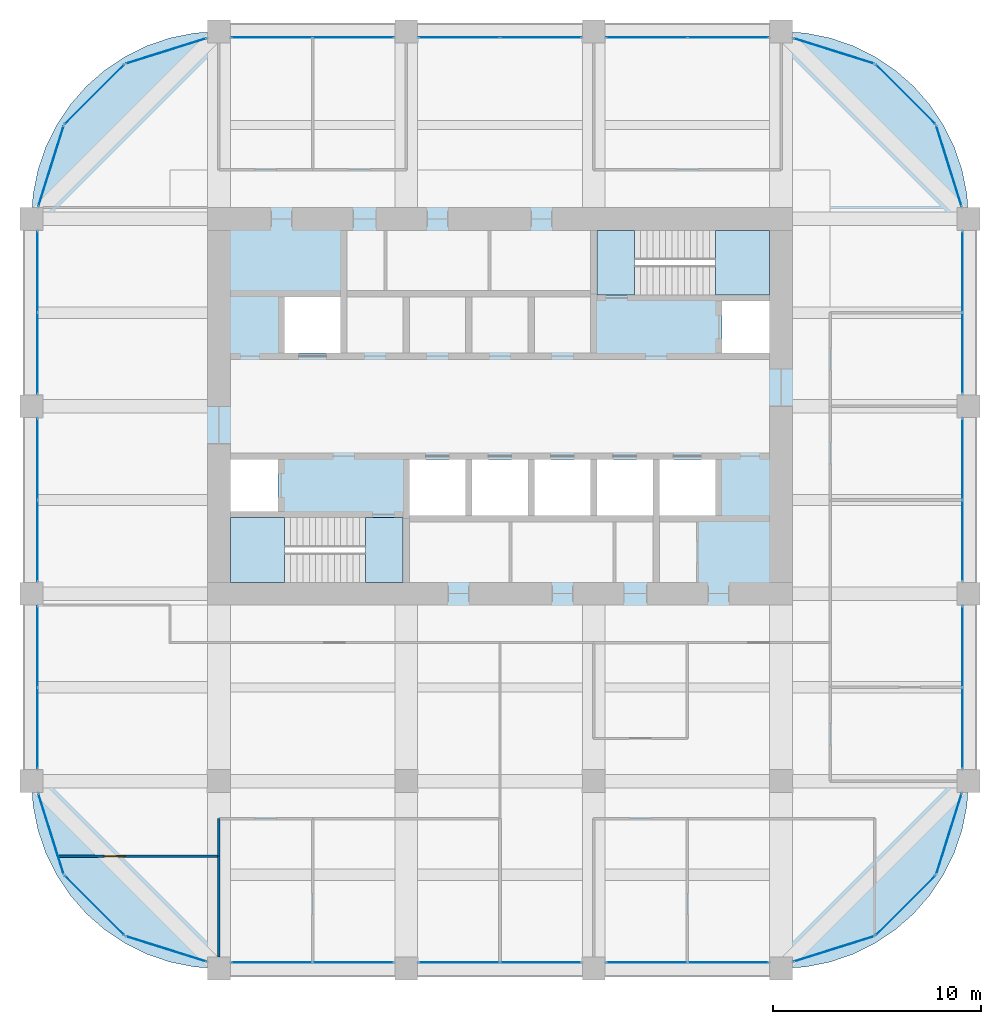
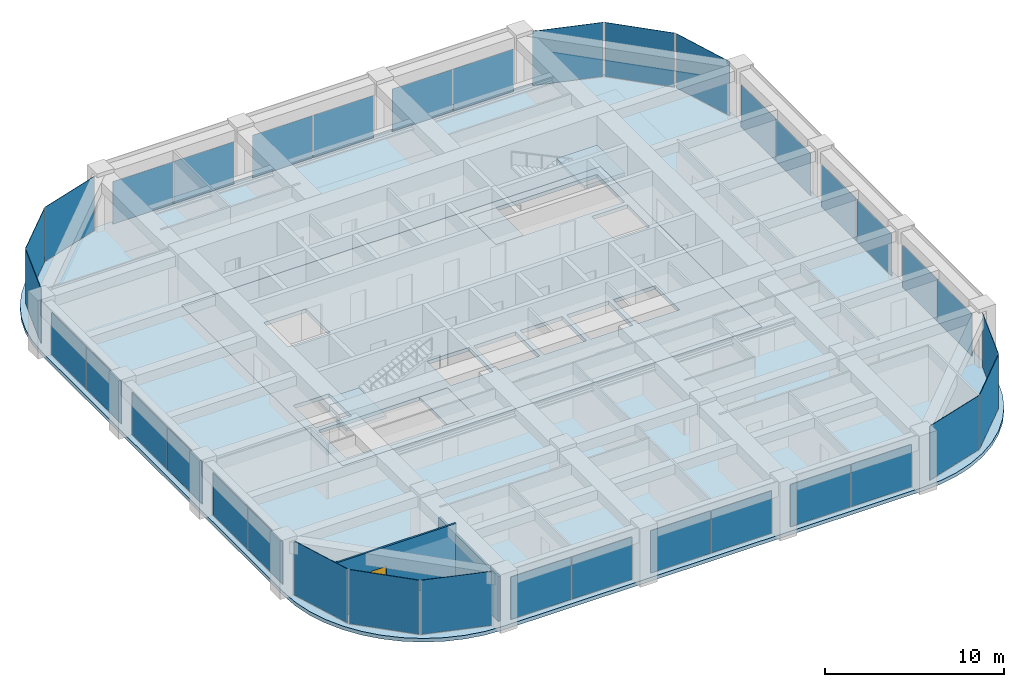
# One storey, part 40 of 44: 36 plates, 6 slabs, 3 walls, 1 door, 1 opening, 26 elements without a shape of their own.
"""IFC4 building model written with IfcOpenShell, lengths in metres."""

from ifc_helpers import new_model, si_unit, direction, frame, frame_2d, origin, origin_2d, place, context, subcontext, project, spatial, polyline, rectangle, outline, extrude, material, layer, layer_set, type_object, element, fill, aggregate, save


model = new_model("IFC4")

# Units and contexts
model_context = context("Model", 3, precision=1e-05, world=origin(), true_north=direction((0.0, 1.0)))
body_context = subcontext(model_context, "Body", "Model", "MODEL_VIEW")
ifc_project = project(units=[si_unit("LENGTHUNIT", "METRE"), si_unit("AREAUNIT", "SQUARE_METRE"), si_unit("VOLUMEUNIT", "CUBIC_METRE"), si_unit("PLANEANGLEUNIT", "RADIAN"), si_unit("MASSUNIT", "GRAM", prefix="KILO")], contexts=[model_context])

# Site, building, storey
site_placement = place(None, origin())
site = spatial("IfcSite", under=ifc_project, at=site_placement, CompositionType="ELEMENT")
building_placement = place(site_placement, origin())
building = spatial("IfcBuilding", under=site, at=building_placement, Name="Zorevar Civic Tower", CompositionType="ELEMENT")
storey_placement = place(building_placement, frame((0.0, 0.0, 299.39990234375)))
storey = spatial("IfcBuildingStorey", under=building, at=storey_placement, Name="L73", CompositionType="ELEMENT", Elevation=299.39990234375)

# Curtain wall, plates
ifc_material_1 = material(Name="Dark grey solar-control glass in black aluminium frame", Category="aluminium")
curtain_wall_type = type_object("IfcCurtainWallType", Name="Curtain wall CW5 top zone", PredefinedType="NOTDEFINED", material=ifc_material_1)
curtain_wall_1_placement = place(storey_placement, origin())
curtain_wall_1 = element("IfcCurtainWall", 1, at=curtain_wall_1_placement, inside=storey, type_object=curtain_wall_type, Name="CW5 L73", PredefinedType="NOTDEFINED")
ifc_material_2 = material(Name="Dark grey solar-control glass", Category="glass")
ifc_layer_1 = layer(ifc_material_2, 0.028076171875)
ifc_layer_set_1 = layer_set([ifc_layer_1], Name="CW5 panel 28")
plate_type = type_object("IfcPlateType", Name="CW5 panel 28", PredefinedType="CURTAIN_PANEL", material=ifc_layer_set_1)
plate_1_placement = place(storey_placement, frame((20.5400390625, 0.300048828125, 0.06005859375), z_axis=(0.0, 0.0, 1.0), x_axis=(1.0, 0.0, 0.0)))
plate_1 = element("IfcPlate", 2, at=plate_1_placement, type_object=plate_type, Name="CW5 panel 1.1", PredefinedType="CURTAIN_PANEL", context=body_context, shape_type="SweptSolid", body=[
    extrude(rectangle(XDim=3.860107421875, YDim=0.028076171875, at=origin_2d()), origin(), (0.0, 0.0, 1.0), 2.889892578125),
])
plate_2_placement = place(storey_placement, frame((24.4599609375, 0.300048828125, 0.06005859375), z_axis=(0.0, 0.0, 1.0), x_axis=(1.0, 0.0, 0.0)))
plate_2 = element("IfcPlate", 3, at=plate_2_placement, type_object=plate_type, Name="CW5 panel 2.1", PredefinedType="CURTAIN_PANEL", context=body_context, shape_type="SweptSolid", body=[
    extrude(rectangle(XDim=3.860107421875, YDim=0.028076171875, at=origin_2d()), origin(), (0.0, 0.0, 1.0), 2.889892578125),
])
aggregate(curtain_wall_1, [plate_1, plate_2])

curtain_wall_2_placement = place(storey_placement, origin())
curtain_wall_2 = element("IfcCurtainWall", 4, at=curtain_wall_2_placement, inside=storey, type_object=curtain_wall_type, Name="CW5 L73", PredefinedType="NOTDEFINED")
plate_3_placement = place(storey_placement, frame((20.5400390625, 44.699951171875, 0.06005859375), z_axis=(0.0, 0.0, 1.0), x_axis=(1.0, 0.0, 0.0)))
plate_3 = element("IfcPlate", 5, at=plate_3_placement, type_object=plate_type, Name="CW5 panel 1.1", PredefinedType="CURTAIN_PANEL", context=body_context, shape_type="SweptSolid", body=[
    extrude(rectangle(XDim=3.860107421875, YDim=0.028076171875, at=origin_2d()), origin(), (0.0, 0.0, 1.0), 2.889892578125),
])
plate_4_placement = place(storey_placement, frame((24.4599609375, 44.699951171875, 0.06005859375), z_axis=(0.0, 0.0, 1.0), x_axis=(1.0, 0.0, 0.0)))
plate_4 = element("IfcPlate", 6, at=plate_4_placement, type_object=plate_type, Name="CW5 panel 2.1", PredefinedType="CURTAIN_PANEL", context=body_context, shape_type="SweptSolid", body=[
    extrude(rectangle(XDim=3.860107421875, YDim=0.028076171875, at=origin_2d()), origin(), (0.0, 0.0, 1.0), 2.889892578125),
])
aggregate(curtain_wall_2, [plate_3, plate_4])

curtain_wall_3_placement = place(storey_placement, origin())
curtain_wall_3 = element("IfcCurtainWall", 7, at=curtain_wall_3_placement, inside=storey, type_object=curtain_wall_type, Name="CW5 L73", PredefinedType="NOTDEFINED")
plate_5_placement = place(storey_placement, frame((29.5400390625, 0.300048828125, 0.06005859375), z_axis=(0.0, 0.0, 1.0), x_axis=(1.0, 0.0, 0.0)))
plate_5 = element("IfcPlate", 8, at=plate_5_placement, type_object=plate_type, Name="CW5 panel 1.1", PredefinedType="CURTAIN_PANEL", context=body_context, shape_type="SweptSolid", body=[
    extrude(rectangle(XDim=3.860107421875, YDim=0.028076171875, at=origin_2d()), origin(), (0.0, 0.0, 1.0), 2.889892578125),
])
plate_6_placement = place(storey_placement, frame((33.4599609375, 0.300048828125, 0.06005859375), z_axis=(0.0, 0.0, 1.0), x_axis=(1.0, 0.0, 0.0)))
plate_6 = element("IfcPlate", 9, at=plate_6_placement, type_object=plate_type, Name="CW5 panel 2.1", PredefinedType="CURTAIN_PANEL", context=body_context, shape_type="SweptSolid", body=[
    extrude(rectangle(XDim=3.860107421875, YDim=0.028076171875, at=origin_2d()), origin(), (0.0, 0.0, 1.0), 2.889892578125),
])
aggregate(curtain_wall_3, [plate_5, plate_6])

curtain_wall_4_placement = place(storey_placement, origin())
curtain_wall_4 = element("IfcCurtainWall", 10, at=curtain_wall_4_placement, inside=storey, type_object=curtain_wall_type, Name="CW5 L73", PredefinedType="NOTDEFINED")
plate_7_placement = place(storey_placement, frame((29.5400390625, 44.699951171875, 0.06005859375), z_axis=(0.0, 0.0, 1.0), x_axis=(1.0, 0.0, 0.0)))
plate_7 = element("IfcPlate", 11, at=plate_7_placement, type_object=plate_type, Name="CW5 panel 1.1", PredefinedType="CURTAIN_PANEL", context=body_context, shape_type="SweptSolid", body=[
    extrude(rectangle(XDim=3.860107421875, YDim=0.028076171875, at=origin_2d()), origin(), (0.0, 0.0, 1.0), 2.889892578125),
])
plate_8_placement = place(storey_placement, frame((33.4599609375, 44.699951171875, 0.06005859375), z_axis=(0.0, 0.0, 1.0), x_axis=(1.0, 0.0, 0.0)))
plate_8 = element("IfcPlate", 12, at=plate_8_placement, type_object=plate_type, Name="CW5 panel 2.1", PredefinedType="CURTAIN_PANEL", context=body_context, shape_type="SweptSolid", body=[
    extrude(rectangle(XDim=3.860107421875, YDim=0.028076171875, at=origin_2d()), origin(), (0.0, 0.0, 1.0), 2.889892578125),
])
aggregate(curtain_wall_4, [plate_7, plate_8])

curtain_wall_5_placement = place(storey_placement, origin())
curtain_wall_5 = element("IfcCurtainWall", 13, at=curtain_wall_5_placement, inside=storey, type_object=curtain_wall_type, Name="CW5 L73", PredefinedType="NOTDEFINED")
plate_9_placement = place(storey_placement, frame((38.5400390625, 0.300048828125, 0.06005859375), z_axis=(0.0, 0.0, 1.0), x_axis=(1.0, 0.0, 0.0)))
plate_9 = element("IfcPlate", 14, at=plate_9_placement, type_object=plate_type, Name="CW5 panel 1.1", PredefinedType="CURTAIN_PANEL", context=body_context, shape_type="SweptSolid", body=[
    extrude(rectangle(XDim=3.860107421875, YDim=0.028076171875, at=origin_2d()), origin(), (0.0, 0.0, 1.0), 2.889892578125),
])
plate_10_placement = place(storey_placement, frame((42.4599609375, 0.300048828125, 0.06005859375), z_axis=(0.0, 0.0, 1.0), x_axis=(1.0, 0.0, 0.0)))
plate_10 = element("IfcPlate", 15, at=plate_10_placement, type_object=plate_type, Name="CW5 panel 2.1", PredefinedType="CURTAIN_PANEL", context=body_context, shape_type="SweptSolid", body=[
    extrude(rectangle(XDim=3.860107421875, YDim=0.028076171875, at=origin_2d()), origin(), (0.0, 0.0, 1.0), 2.889892578125),
])
aggregate(curtain_wall_5, [plate_9, plate_10])

curtain_wall_6_placement = place(storey_placement, origin())
curtain_wall_6 = element("IfcCurtainWall", 16, at=curtain_wall_6_placement, inside=storey, type_object=curtain_wall_type, Name="CW5 L73", PredefinedType="NOTDEFINED")
plate_11_placement = place(storey_placement, frame((38.5400390625, 44.699951171875, 0.06005859375), z_axis=(0.0, 0.0, 1.0), x_axis=(1.0, 0.0, 0.0)))
plate_11 = element("IfcPlate", 17, at=plate_11_placement, type_object=plate_type, Name="CW5 panel 1.1", PredefinedType="CURTAIN_PANEL", context=body_context, shape_type="SweptSolid", body=[
    extrude(rectangle(XDim=3.860107421875, YDim=0.028076171875, at=origin_2d()), origin(), (0.0, 0.0, 1.0), 2.889892578125),
])
plate_12_placement = place(storey_placement, frame((42.4599609375, 44.699951171875, 0.06005859375), z_axis=(0.0, 0.0, 1.0), x_axis=(1.0, 0.0, 0.0)))
plate_12 = element("IfcPlate", 18, at=plate_12_placement, type_object=plate_type, Name="CW5 panel 2.1", PredefinedType="CURTAIN_PANEL", context=body_context, shape_type="SweptSolid", body=[
    extrude(rectangle(XDim=3.860107421875, YDim=0.028076171875, at=origin_2d()), origin(), (0.0, 0.0, 1.0), 2.889892578125),
])
aggregate(curtain_wall_6, [plate_11, plate_12])

curtain_wall_7_placement = place(storey_placement, origin())
curtain_wall_7 = element("IfcCurtainWall", 19, at=curtain_wall_7_placement, inside=storey, type_object=curtain_wall_type, Name="CW5 L73", PredefinedType="NOTDEFINED")
plate_13_placement = place(storey_placement, frame((9.300048828125, 11.5400390625, 0.06005859375), z_axis=(0.0, 0.0, 1.0), x_axis=(0.0, 1.0, 0.0)))
plate_13 = element("IfcPlate", 20, at=plate_13_placement, type_object=plate_type, Name="CW5 panel 1.1", PredefinedType="CURTAIN_PANEL", context=body_context, shape_type="SweptSolid", body=[
    extrude(rectangle(XDim=3.860107421875, YDim=0.028076171875, at=origin_2d()), origin(), (0.0, 0.0, 1.0), 2.889892578125),
])
plate_14_placement = place(storey_placement, frame((9.300048828125, 15.4599609375, 0.06005859375), z_axis=(0.0, 0.0, 1.0), x_axis=(0.0, 1.0, 0.0)))
plate_14 = element("IfcPlate", 21, at=plate_14_placement, type_object=plate_type, Name="CW5 panel 2.1", PredefinedType="CURTAIN_PANEL", context=body_context, shape_type="SweptSolid", body=[
    extrude(rectangle(XDim=3.860107421875, YDim=0.028076171875, at=origin_2d()), origin(), (0.0, 0.0, 1.0), 2.889892578125),
])
aggregate(curtain_wall_7, [plate_13, plate_14])

curtain_wall_8_placement = place(storey_placement, origin())
curtain_wall_8 = element("IfcCurtainWall", 22, at=curtain_wall_8_placement, inside=storey, type_object=curtain_wall_type, Name="CW5 L73", PredefinedType="NOTDEFINED")
plate_15_placement = place(storey_placement, frame((53.699951171875, 11.5400390625, 0.06005859375), z_axis=(0.0, 0.0, 1.0), x_axis=(0.0, 1.0, 0.0)))
plate_15 = element("IfcPlate", 23, at=plate_15_placement, type_object=plate_type, Name="CW5 panel 1.1", PredefinedType="CURTAIN_PANEL", context=body_context, shape_type="SweptSolid", body=[
    extrude(rectangle(XDim=3.860107421875, YDim=0.028076171875, at=origin_2d()), origin(), (0.0, 0.0, 1.0), 2.889892578125),
])
plate_16_placement = place(storey_placement, frame((53.699951171875, 15.4599609375, 0.06005859375), z_axis=(0.0, 0.0, 1.0), x_axis=(0.0, 1.0, 0.0)))
plate_16 = element("IfcPlate", 24, at=plate_16_placement, type_object=plate_type, Name="CW5 panel 2.1", PredefinedType="CURTAIN_PANEL", context=body_context, shape_type="SweptSolid", body=[
    extrude(rectangle(XDim=3.860107421875, YDim=0.028076171875, at=origin_2d()), origin(), (0.0, 0.0, 1.0), 2.889892578125),
])
aggregate(curtain_wall_8, [plate_15, plate_16])

curtain_wall_9_placement = place(storey_placement, origin())
curtain_wall_9 = element("IfcCurtainWall", 25, at=curtain_wall_9_placement, inside=storey, type_object=curtain_wall_type, Name="CW5 L73", PredefinedType="NOTDEFINED")
plate_17_placement = place(storey_placement, frame((9.300048828125, 20.5400390625, 0.06005859375), z_axis=(0.0, 0.0, 1.0), x_axis=(0.0, 1.0, 0.0)))
plate_17 = element("IfcPlate", 26, at=plate_17_placement, type_object=plate_type, Name="CW5 panel 1.1", PredefinedType="CURTAIN_PANEL", context=body_context, shape_type="SweptSolid", body=[
    extrude(rectangle(XDim=3.860107421875, YDim=0.028076171875, at=origin_2d()), origin(), (0.0, 0.0, 1.0), 2.889892578125),
])
plate_18_placement = place(storey_placement, frame((9.300048828125, 24.4599609375, 0.06005859375), z_axis=(0.0, 0.0, 1.0), x_axis=(0.0, 1.0, 0.0)))
plate_18 = element("IfcPlate", 27, at=plate_18_placement, type_object=plate_type, Name="CW5 panel 2.1", PredefinedType="CURTAIN_PANEL", context=body_context, shape_type="SweptSolid", body=[
    extrude(rectangle(XDim=3.860107421875, YDim=0.028076171875, at=origin_2d()), origin(), (0.0, 0.0, 1.0), 2.889892578125),
])
aggregate(curtain_wall_9, [plate_17, plate_18])

curtain_wall_10_placement = place(storey_placement, origin())
curtain_wall_10 = element("IfcCurtainWall", 28, at=curtain_wall_10_placement, inside=storey, type_object=curtain_wall_type, Name="CW5 L73", PredefinedType="NOTDEFINED")
plate_19_placement = place(storey_placement, frame((53.699951171875, 20.5400390625, 0.06005859375), z_axis=(0.0, 0.0, 1.0), x_axis=(0.0, 1.0, 0.0)))
plate_19 = element("IfcPlate", 29, at=plate_19_placement, type_object=plate_type, Name="CW5 panel 1.1", PredefinedType="CURTAIN_PANEL", context=body_context, shape_type="SweptSolid", body=[
    extrude(rectangle(XDim=3.860107421875, YDim=0.028076171875, at=origin_2d()), origin(), (0.0, 0.0, 1.0), 2.889892578125),
])
plate_20_placement = place(storey_placement, frame((53.699951171875, 24.4599609375, 0.06005859375), z_axis=(0.0, 0.0, 1.0), x_axis=(0.0, 1.0, 0.0)))
plate_20 = element("IfcPlate", 30, at=plate_20_placement, type_object=plate_type, Name="CW5 panel 2.1", PredefinedType="CURTAIN_PANEL", context=body_context, shape_type="SweptSolid", body=[
    extrude(rectangle(XDim=3.860107421875, YDim=0.028076171875, at=origin_2d()), origin(), (0.0, 0.0, 1.0), 2.889892578125),
])
aggregate(curtain_wall_10, [plate_19, plate_20])

curtain_wall_11_placement = place(storey_placement, origin())
curtain_wall_11 = element("IfcCurtainWall", 31, at=curtain_wall_11_placement, inside=storey, type_object=curtain_wall_type, Name="CW5 L73", PredefinedType="NOTDEFINED")
plate_21_placement = place(storey_placement, frame((9.300048828125, 29.5400390625, 0.06005859375), z_axis=(0.0, 0.0, 1.0), x_axis=(0.0, 1.0, 0.0)))
plate_21 = element("IfcPlate", 32, at=plate_21_placement, type_object=plate_type, Name="CW5 panel 1.1", PredefinedType="CURTAIN_PANEL", context=body_context, shape_type="SweptSolid", body=[
    extrude(rectangle(XDim=3.860107421875, YDim=0.028076171875, at=origin_2d()), origin(), (0.0, 0.0, 1.0), 2.889892578125),
])
plate_22_placement = place(storey_placement, frame((9.300048828125, 33.4599609375, 0.06005859375), z_axis=(0.0, 0.0, 1.0), x_axis=(0.0, 1.0, 0.0)))
plate_22 = element("IfcPlate", 33, at=plate_22_placement, type_object=plate_type, Name="CW5 panel 2.1", PredefinedType="CURTAIN_PANEL", context=body_context, shape_type="SweptSolid", body=[
    extrude(rectangle(XDim=3.860107421875, YDim=0.028076171875, at=origin_2d()), origin(), (0.0, 0.0, 1.0), 2.889892578125),
])
aggregate(curtain_wall_11, [plate_21, plate_22])

curtain_wall_12_placement = place(storey_placement, origin())
curtain_wall_12 = element("IfcCurtainWall", 34, at=curtain_wall_12_placement, inside=storey, type_object=curtain_wall_type, Name="CW5 L73", PredefinedType="NOTDEFINED")
plate_23_placement = place(storey_placement, frame((53.699951171875, 29.5400390625, 0.06005859375), z_axis=(0.0, 0.0, 1.0), x_axis=(0.0, 1.0, 0.0)))
plate_23 = element("IfcPlate", 35, at=plate_23_placement, type_object=plate_type, Name="CW5 panel 1.1", PredefinedType="CURTAIN_PANEL", context=body_context, shape_type="SweptSolid", body=[
    extrude(rectangle(XDim=3.860107421875, YDim=0.028076171875, at=origin_2d()), origin(), (0.0, 0.0, 1.0), 2.889892578125),
])
plate_24_placement = place(storey_placement, frame((53.699951171875, 33.4599609375, 0.06005859375), z_axis=(0.0, 0.0, 1.0), x_axis=(0.0, 1.0, 0.0)))
plate_24 = element("IfcPlate", 36, at=plate_24_placement, type_object=plate_type, Name="CW5 panel 2.1", PredefinedType="CURTAIN_PANEL", context=body_context, shape_type="SweptSolid", body=[
    extrude(rectangle(XDim=3.860107421875, YDim=0.028076171875, at=origin_2d()), origin(), (0.0, 0.0, 1.0), 2.889892578125),
])
aggregate(curtain_wall_12, [plate_23, plate_24])

# Curtain wall, plate
curtain_wall_13_placement = place(storey_placement, origin())
curtain_wall_13 = element("IfcCurtainWall", 37, at=curtain_wall_13_placement, inside=storey, type_object=curtain_wall_type, Name="CW5 L73", PredefinedType="NOTDEFINED")
plate_25_placement = place(storey_placement, frame((47.52880859375, 0.938232421875, 0.06005859375), z_axis=(0.0, 0.0, 1.0), x_axis=(0.954153437674, 0.299317920238, 0.0)))
plate_25 = element("IfcPlate", 38, at=plate_25_placement, type_object=plate_type, Name="CW5 panel 1.1", PredefinedType="CURTAIN_PANEL", context=body_context, shape_type="SweptSolid", body=[
    extrude(rectangle(XDim=4.028076171875, YDim=0.028076171875, at=origin_2d()), origin(), (0.0, 0.0, 1.0), 3.68994140625),
])
aggregate(curtain_wall_13, [plate_25])

curtain_wall_14_placement = place(storey_placement, origin())
curtain_wall_14 = element("IfcCurtainWall", 39, at=curtain_wall_14_placement, inside=storey, type_object=curtain_wall_type, Name="CW5 L73", PredefinedType="NOTDEFINED")
plate_26_placement = place(storey_placement, frame((50.974365234375, 3.025634765625, 0.06005859375), z_axis=(0.0, 0.0, 1.0), x_axis=(0.707106781187, 0.707106781187, 0.0)))
plate_26 = element("IfcPlate", 40, at=plate_26_placement, type_object=plate_type, Name="CW5 panel 1.1", PredefinedType="CURTAIN_PANEL", context=body_context, shape_type="SweptSolid", body=[
    extrude(rectangle(XDim=4.028076171875, YDim=0.028076171875, at=origin_2d()), origin(), (0.0, 0.0, 1.0), 3.68994140625),
])
aggregate(curtain_wall_14, [plate_26])

curtain_wall_15_placement = place(storey_placement, origin())
curtain_wall_15 = element("IfcCurtainWall", 41, at=curtain_wall_15_placement, inside=storey, type_object=curtain_wall_type, Name="CW5 L73", PredefinedType="NOTDEFINED")
plate_27_placement = place(storey_placement, frame((53.061767578125, 6.47119140625, 0.06005859375), z_axis=(0.0, 0.0, 1.0), x_axis=(0.299317920238, 0.954153437674, 0.0)))
plate_27 = element("IfcPlate", 42, at=plate_27_placement, type_object=plate_type, Name="CW5 panel 1.1", PredefinedType="CURTAIN_PANEL", context=body_context, shape_type="SweptSolid", body=[
    extrude(rectangle(XDim=4.028076171875, YDim=0.028076171875, at=origin_2d()), origin(), (0.0, 0.0, 1.0), 3.68994140625),
])
aggregate(curtain_wall_15, [plate_27])

curtain_wall_16_placement = place(storey_placement, origin())
curtain_wall_16 = element("IfcCurtainWall", 43, at=curtain_wall_16_placement, inside=storey, type_object=curtain_wall_type, Name="CW5 L73", PredefinedType="NOTDEFINED")
plate_28_placement = place(storey_placement, frame((53.061767578125, 38.52880859375, 0.06005859375), z_axis=(0.0, 0.0, 1.0), x_axis=(-0.299317920238, 0.954153437674, 0.0)))
plate_28 = element("IfcPlate", 44, at=plate_28_placement, type_object=plate_type, Name="CW5 panel 1.1", PredefinedType="CURTAIN_PANEL", context=body_context, shape_type="SweptSolid", body=[
    extrude(rectangle(XDim=4.028076171875, YDim=0.028076171875, at=origin_2d()), origin(), (0.0, 0.0, 1.0), 3.68994140625),
])
aggregate(curtain_wall_16, [plate_28])

curtain_wall_17_placement = place(storey_placement, origin())
curtain_wall_17 = element("IfcCurtainWall", 45, at=curtain_wall_17_placement, inside=storey, type_object=curtain_wall_type, Name="CW5 L73", PredefinedType="NOTDEFINED")
plate_29_placement = place(storey_placement, frame((50.974365234375, 41.974365234375, 0.06005859375), z_axis=(0.0, 0.0, 1.0), x_axis=(-0.707106781187, 0.707106781187, 0.0)))
plate_29 = element("IfcPlate", 46, at=plate_29_placement, type_object=plate_type, Name="CW5 panel 1.1", PredefinedType="CURTAIN_PANEL", context=body_context, shape_type="SweptSolid", body=[
    extrude(rectangle(XDim=4.028076171875, YDim=0.028076171875, at=origin_2d()), origin(), (0.0, 0.0, 1.0), 3.68994140625),
])
aggregate(curtain_wall_17, [plate_29])

curtain_wall_18_placement = place(storey_placement, origin())
curtain_wall_18 = element("IfcCurtainWall", 47, at=curtain_wall_18_placement, inside=storey, type_object=curtain_wall_type, Name="CW5 L73", PredefinedType="NOTDEFINED")
plate_30_placement = place(storey_placement, frame((47.52880859375, 44.061767578125, 0.06005859375), z_axis=(0.0, 0.0, 1.0), x_axis=(-0.954153437674, 0.299317920238, 0.0)))
plate_30 = element("IfcPlate", 48, at=plate_30_placement, type_object=plate_type, Name="CW5 panel 1.1", PredefinedType="CURTAIN_PANEL", context=body_context, shape_type="SweptSolid", body=[
    extrude(rectangle(XDim=4.028076171875, YDim=0.028076171875, at=origin_2d()), origin(), (0.0, 0.0, 1.0), 3.68994140625),
])
aggregate(curtain_wall_18, [plate_30])

curtain_wall_19_placement = place(storey_placement, origin())
curtain_wall_19 = element("IfcCurtainWall", 49, at=curtain_wall_19_placement, inside=storey, type_object=curtain_wall_type, Name="CW5 L73", PredefinedType="NOTDEFINED")
plate_31_placement = place(storey_placement, frame((15.47119140625, 44.061767578125, 0.06005859375), z_axis=(0.0, 0.0, 1.0), x_axis=(-0.954153437674, -0.299317920238, 0.0)))
plate_31 = element("IfcPlate", 50, at=plate_31_placement, type_object=plate_type, Name="CW5 panel 1.1", PredefinedType="CURTAIN_PANEL", context=body_context, shape_type="SweptSolid", body=[
    extrude(rectangle(XDim=4.028076171875, YDim=0.028076171875, at=origin_2d()), origin(), (0.0, 0.0, 1.0), 3.68994140625),
])
aggregate(curtain_wall_19, [plate_31])

curtain_wall_20_placement = place(storey_placement, origin())
curtain_wall_20 = element("IfcCurtainWall", 51, at=curtain_wall_20_placement, inside=storey, type_object=curtain_wall_type, Name="CW5 L73", PredefinedType="NOTDEFINED")
plate_32_placement = place(storey_placement, frame((12.025634765625, 41.974365234375, 0.06005859375), z_axis=(0.0, 0.0, 1.0), x_axis=(-0.707106781187, -0.707106781187, 0.0)))
plate_32 = element("IfcPlate", 52, at=plate_32_placement, type_object=plate_type, Name="CW5 panel 1.1", PredefinedType="CURTAIN_PANEL", context=body_context, shape_type="SweptSolid", body=[
    extrude(rectangle(XDim=4.028076171875, YDim=0.028076171875, at=origin_2d()), origin(), (0.0, 0.0, 1.0), 3.68994140625),
])
aggregate(curtain_wall_20, [plate_32])

curtain_wall_21_placement = place(storey_placement, origin())
curtain_wall_21 = element("IfcCurtainWall", 53, at=curtain_wall_21_placement, inside=storey, type_object=curtain_wall_type, Name="CW5 L73", PredefinedType="NOTDEFINED")
plate_33_placement = place(storey_placement, frame((9.938232421875, 38.52880859375, 0.06005859375), z_axis=(0.0, 0.0, 1.0), x_axis=(-0.299317920238, -0.954153437674, 0.0)))
plate_33 = element("IfcPlate", 54, at=plate_33_placement, type_object=plate_type, Name="CW5 panel 1.1", PredefinedType="CURTAIN_PANEL", context=body_context, shape_type="SweptSolid", body=[
    extrude(rectangle(XDim=4.028076171875, YDim=0.028076171875, at=origin_2d()), origin(), (0.0, 0.0, 1.0), 3.68994140625),
])
aggregate(curtain_wall_21, [plate_33])

curtain_wall_22_placement = place(storey_placement, origin())
curtain_wall_22 = element("IfcCurtainWall", 55, at=curtain_wall_22_placement, inside=storey, type_object=curtain_wall_type, Name="CW5 L73", PredefinedType="NOTDEFINED")
plate_34_placement = place(storey_placement, frame((9.938232421875, 6.47119140625, 0.06005859375), z_axis=(0.0, 0.0, 1.0), x_axis=(0.299317920238, -0.954153437674, 0.0)))
plate_34 = element("IfcPlate", 56, at=plate_34_placement, type_object=plate_type, Name="CW5 panel 1.1", PredefinedType="CURTAIN_PANEL", context=body_context, shape_type="SweptSolid", body=[
    extrude(rectangle(XDim=4.028076171875, YDim=0.028076171875, at=origin_2d()), origin(), (0.0, 0.0, 1.0), 3.68994140625),
])
aggregate(curtain_wall_22, [plate_34])

curtain_wall_23_placement = place(storey_placement, origin())
curtain_wall_23 = element("IfcCurtainWall", 57, at=curtain_wall_23_placement, inside=storey, type_object=curtain_wall_type, Name="CW5 L73", PredefinedType="NOTDEFINED")
plate_35_placement = place(storey_placement, frame((12.025634765625, 3.025634765625, 0.06005859375), z_axis=(0.0, 0.0, 1.0), x_axis=(0.707106781187, -0.707106781187, 0.0)))
plate_35 = element("IfcPlate", 58, at=plate_35_placement, type_object=plate_type, Name="CW5 panel 1.1", PredefinedType="CURTAIN_PANEL", context=body_context, shape_type="SweptSolid", body=[
    extrude(rectangle(XDim=4.028076171875, YDim=0.028076171875, at=origin_2d()), origin(), (0.0, 0.0, 1.0), 3.68994140625),
])
aggregate(curtain_wall_23, [plate_35])

curtain_wall_24_placement = place(storey_placement, origin())
curtain_wall_24 = element("IfcCurtainWall", 59, at=curtain_wall_24_placement, inside=storey, type_object=curtain_wall_type, Name="CW5 L73", PredefinedType="NOTDEFINED")
plate_36_placement = place(storey_placement, frame((15.47119140625, 0.938232421875, 0.06005859375), z_axis=(0.0, 0.0, 1.0), x_axis=(0.954153437674, -0.299317920238, 0.0)))
plate_36 = element("IfcPlate", 60, at=plate_36_placement, type_object=plate_type, Name="CW5 panel 1.1", PredefinedType="CURTAIN_PANEL", context=body_context, shape_type="SweptSolid", body=[
    extrude(rectangle(XDim=4.028076171875, YDim=0.028076171875, at=origin_2d()), origin(), (0.0, 0.0, 1.0), 3.68994140625),
])
aggregate(curtain_wall_24, [plate_36])

# Slabs
ifc_material_3 = material(Name="Concrete C40/50", Category="concrete")
ifc_layer_2 = layer(ifc_material_3, 0.25)
ifc_layer_set_2 = layer_set([ifc_layer_2], Name="Floor slab 250")
slab_type_1 = type_object("IfcSlabType", Name="Floor slab 250", PredefinedType="FLOOR", material=ifc_layer_set_2)
slab_1_placement = place(storey_placement, frame((0.0, 0.0, -0.25)))
element("IfcSlab", 61, at=slab_1_placement, inside=storey, type_object=slab_type_1, Name="Floor slab L73", PredefinedType="FLOOR", context=body_context, shape_type="SweptSolid", body=[
    extrude(outline(polyline([(45.0, 0.0), (46.1748046875, 0.076904296875), (47.329345703125, 0.306640625), (48.444091796875, 0.68505859375), (49.5, 1.205810546875), (50.478759765625, 1.85986328125), (51.364013671875, 2.635986328125), (52.14013671875, 3.521240234375), (52.794189453125, 4.5), (53.31494140625, 5.555908203125), (53.693359375, 6.670654296875), (53.923095703125, 7.8251953125), (54.0, 9.0), (54.0, 36.0), (53.923095703125, 37.1748046875), (53.693359375, 38.329345703125), (53.31494140625, 39.444091796875), (52.794189453125, 40.5), (52.14013671875, 41.478759765625), (51.364013671875, 42.364013671875), (50.478759765625, 43.14013671875), (49.5, 43.794189453125), (48.444091796875, 44.31494140625), (47.329345703125, 44.693359375), (46.1748046875, 44.923095703125), (45.0, 45.0), (18.0, 45.0), (16.8251953125, 44.923095703125), (15.670654296875, 44.693359375), (14.555908203125, 44.31494140625), (13.5, 43.794189453125), (12.521240234375, 43.14013671875), (11.635986328125, 42.364013671875), (10.85986328125, 41.478759765625), (10.205810546875, 40.5), (9.68505859375, 39.444091796875), (9.306640625, 38.329345703125), (9.076904296875, 37.1748046875), (9.0, 36.0), (9.0, 9.0), (9.076904296875, 7.8251953125), (9.306640625, 6.670654296875), (9.68505859375, 5.555908203125), (10.205810546875, 4.5), (10.85986328125, 3.521240234375), (11.635986328125, 2.635986328125), (12.521240234375, 1.85986328125), (13.5, 1.205810546875), (14.555908203125, 0.68505859375), (15.670654296875, 0.306640625), (16.8251953125, 0.076904296875), (18.0, 0.0), (45.0, 0.0)]), holes=[polyline([(18.0, 18.0), (45.0, 18.0), (45.0, 36.0), (18.0, 36.0), (18.0, 18.0)])]), origin(), (0.0, 0.0, 1.0), 0.25),
])
slab_2_placement = place(storey_placement, frame((0.0, 0.0, -0.25)))
element("IfcSlab", 62, at=slab_2_placement, inside=storey, type_object=slab_type_1, Name="Core floor L73", PredefinedType="FLOOR", context=body_context, shape_type="SweptSolid", body=[
    extrude(outline(polyline([(18.0, 18.0), (45.0, 18.0), (45.0, 36.0), (18.0, 36.0), (18.0, 18.0)]), holes=[polyline([(18.550048828125, 18.550048828125), (26.85009765625, 18.550048828125), (26.85009765625, 21.64990234375), (18.550048828125, 21.64990234375), (18.550048828125, 18.550048828125)]), polyline([(36.14990234375, 32.35009765625), (44.449951171875, 32.35009765625), (44.449951171875, 35.449951171875), (36.14990234375, 35.449951171875), (36.14990234375, 32.35009765625)]), polyline([(18.550048828125, 21.949951171875), (20.85009765625, 21.949951171875), (20.85009765625, 24.449951171875), (18.550048828125, 24.449951171875), (18.550048828125, 21.949951171875)]), polyline([(42.14990234375, 29.550048828125), (44.449951171875, 29.550048828125), (44.449951171875, 32.050048828125), (42.14990234375, 32.050048828125), (42.14990234375, 29.550048828125)]), polyline([(27.14990234375, 21.75), (29.85009765625, 21.75), (29.85009765625, 24.449951171875), (27.14990234375, 24.449951171875), (27.14990234375, 21.75)]), polyline([(30.14990234375, 21.75), (32.85009765625, 21.75), (32.85009765625, 24.449951171875), (30.14990234375, 24.449951171875), (30.14990234375, 21.75)]), polyline([(33.14990234375, 21.75), (35.85009765625, 21.75), (35.85009765625, 24.449951171875), (33.14990234375, 24.449951171875), (33.14990234375, 21.75)]), polyline([(36.14990234375, 21.75), (38.85009765625, 21.75), (38.85009765625, 24.449951171875), (36.14990234375, 24.449951171875), (36.14990234375, 21.75)]), polyline([(39.14990234375, 21.75), (41.85009765625, 21.75), (41.85009765625, 24.449951171875), (39.14990234375, 24.449951171875), (39.14990234375, 21.75)]), polyline([(21.14990234375, 29.550048828125), (23.85009765625, 29.550048828125), (23.85009765625, 32.25), (21.14990234375, 32.25), (21.14990234375, 29.550048828125)])]), origin(), (0.0, 0.0, 1.0), 0.25),
])

# Stair, slabs
ifc_material_4 = material(Name="Precast concrete C40/50", Category="concrete")
stair_type = type_object("IfcStairType", Name="Stair ST 28R", PredefinedType="HALF_TURN_STAIR", material=ifc_material_4)
stair_1_placement = place(storey_placement, origin())
stair_1 = element("IfcStair", 63, at=stair_1_placement, inside=storey, type_object=stair_type, Name="Stair ST1 L73", PredefinedType="HALF_TURN_STAIR")
ifc_material_5 = material(Name="Concrete C40/50", Category="concrete")
ifc_layer_3 = layer(ifc_material_5, 0.199951171875)
ifc_layer_set_3 = layer_set([ifc_layer_3], Name="Stair landing 200")
slab_type_2 = type_object("IfcSlabType", Name="Stair landing 200", PredefinedType="LANDING", material=ifc_layer_set_3)
slab_3_placement = place(storey_placement, frame((0.0, 0.0, -0.199951171875)))
slab_3 = element("IfcSlab", 64, at=slab_3_placement, type_object=slab_type_2, Name="ST1 landing 1", PredefinedType="LANDING", context=body_context, shape_type="SweptSolid", body=[
    extrude(outline(polyline([(25.050048828125, 18.550048828125), (26.85009765625, 18.550048828125), (26.85009765625, 21.64990234375), (25.050048828125, 21.64990234375), (25.050048828125, 18.550048828125)])), origin(), (0.0, 0.0, 1.0), 0.199951171875),
])
slab_4_placement = place(storey_placement, frame((0.0, 0.0, 1.800048828125)))
slab_4 = element("IfcSlab", 65, at=slab_4_placement, type_object=slab_type_2, Name="ST1 landing 2", PredefinedType="LANDING", context=body_context, shape_type="SweptSolid", body=[
    extrude(outline(polyline([(18.550048828125, 18.550048828125), (21.14990234375, 18.550048828125), (21.14990234375, 21.64990234375), (18.550048828125, 21.64990234375), (18.550048828125, 18.550048828125)])), origin(), (0.0, 0.0, 1.0), 0.199951171875),
])
aggregate(stair_1, [slab_3, slab_4])

stair_2_placement = place(storey_placement, origin())
stair_2 = element("IfcStair", 66, at=stair_2_placement, inside=storey, type_object=stair_type, Name="Stair ST2 L73", PredefinedType="HALF_TURN_STAIR")
slab_5_placement = place(storey_placement, frame((0.0, 0.0, -0.199951171875)))
slab_5 = element("IfcSlab", 67, at=slab_5_placement, type_object=slab_type_2, Name="ST2 landing 1", PredefinedType="LANDING", context=body_context, shape_type="SweptSolid", body=[
    extrude(outline(polyline([(37.949951171875, 32.35009765625), (36.14990234375, 32.35009765625), (36.14990234375, 35.449951171875), (37.949951171875, 35.449951171875), (37.949951171875, 32.35009765625)])), origin(), (0.0, 0.0, 1.0), 0.199951171875),
])
slab_6_placement = place(storey_placement, frame((0.0, 0.0, 1.800048828125)))
slab_6 = element("IfcSlab", 68, at=slab_6_placement, type_object=slab_type_2, Name="ST2 landing 2", PredefinedType="LANDING", context=body_context, shape_type="SweptSolid", body=[
    extrude(outline(polyline([(44.449951171875, 32.35009765625), (41.85009765625, 32.35009765625), (41.85009765625, 35.449951171875), (44.449951171875, 35.449951171875), (44.449951171875, 32.35009765625)])), origin(), (0.0, 0.0, 1.0), 0.199951171875),
])
aggregate(stair_2, [slab_5, slab_6])

# Wall, opening, door
ifc_material_6 = material(Name="Gypsum board on steel studs", Category="steel")
ifc_layer_4 = layer(ifc_material_6, 0.1201171875)
ifc_layer_set_4 = layer_set([ifc_layer_4], Name="Partition 120")
wall_type = type_object("IfcWallType", Name="Partition 120", PredefinedType="PARTITIONING", material=ifc_layer_set_4)
wall_1_placement = place(storey_placement, frame((10.309814453125, 5.39990234375, 0.0), z_axis=(0.0, 0.0, 1.0), x_axis=(1.0, 0.0, 0.0)))
wall_1 = element("IfcWall", 69, at=wall_1_placement, inside=storey, type_object=wall_type, Name="Partition 120 L73", PredefinedType="PARTITIONING", context=body_context, shape_type="SweptSolid", body=[
    extrude(rectangle(XDim=7.690185546875, YDim=0.1201171875, at=frame_2d((3.84521484375, 0.0))), origin(), (0.0, 0.0, 1.0), 3.75),
])
opening_placement = place(wall_1_placement, frame((2.190185546875, 0.0, 0.0)))
opening = element("IfcOpeningElement", 70, at=opening_placement, cuts=wall_1, Name="Opening L73.17", PredefinedType="OPENING", context=body_context, shape_type="SweptSolid", body=[
    extrude(rectangle(XDim=1.0, YDim=2.39990234375, at=frame_2d((0.5, 1.199951171875))), frame((0.0, 0.070068359375, 0.0), z_axis=(0.0, -1.0, 0.0), x_axis=(1.0, 0.0, 0.0)), (0.0, 0.0, 1.0), 0.14013671875),
])
ifc_material_7 = material(Name="Timber door set", Category="wood")
door_type = type_object("IfcDoorType", Name="Door D1 1000x2400", OperationType="SINGLE_SWING_LEFT", PredefinedType="DOOR", material=ifc_material_7)
door_placement = place(opening_placement, origin())
door = element("IfcDoor", 71, at=door_placement, inside=storey, type_object=door_type, Name="Door L73 D1", OperationType="SINGLE_SWING_RIGHT", OverallHeight=2.39990234375, OverallWidth=1.0, PredefinedType="DOOR", context=body_context, shape_type="SweptSolid", body=[
    extrude(rectangle(XDim=1.0, YDim=2.39990234375, at=frame_2d((0.5, 1.199951171875))), frame((0.0, 0.02490234375, 0.0), z_axis=(0.0, -1.0, 0.0), x_axis=(1.0, 0.0, 0.0)), (0.0, 0.0, 1.0), 0.050048828125),
])
fill(opening, door)

# Walls
wall_2_placement = place(storey_placement, frame((18.0, 0.550048828125, 0.0), z_axis=(0.0, 0.0, 1.0), x_axis=(0.0, 1.0, 0.0)))
element("IfcWall", 72, at=wall_2_placement, inside=storey, type_object=wall_type, Name="Partition 120 L73", PredefinedType="PARTITIONING", context=body_context, shape_type="SweptSolid", body=[
    extrude(rectangle(XDim=4.849853515625, YDim=0.1201171875, at=frame_2d((2.4248046875, 0.0))), origin(), (0.0, 0.0, 1.0), 3.050048828125),
])
wall_3_placement = place(storey_placement, frame((18.0, 5.39990234375, 0.0), z_axis=(0.0, 0.0, 1.0), x_axis=(0.0, 1.0, 0.0)))
element("IfcWall", 73, at=wall_3_placement, inside=storey, type_object=wall_type, Name="Partition 120 L73", PredefinedType="PARTITIONING", context=body_context, shape_type="SweptSolid", body=[
    extrude(rectangle(XDim=1.800048828125, YDim=0.1201171875, at=frame_2d((0.89990234375, 0.0))), origin(), (0.0, 0.0, 1.0), 3.050048828125),
])

save(model, "model.ifc")
